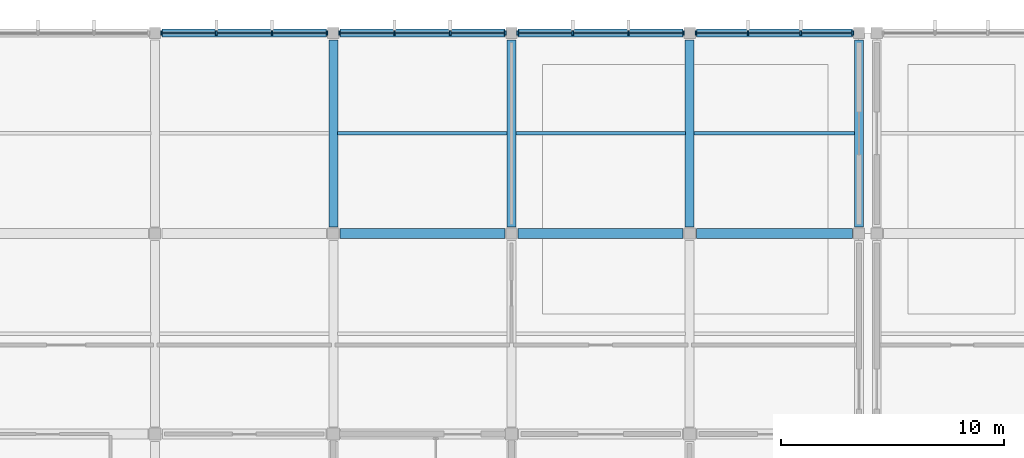
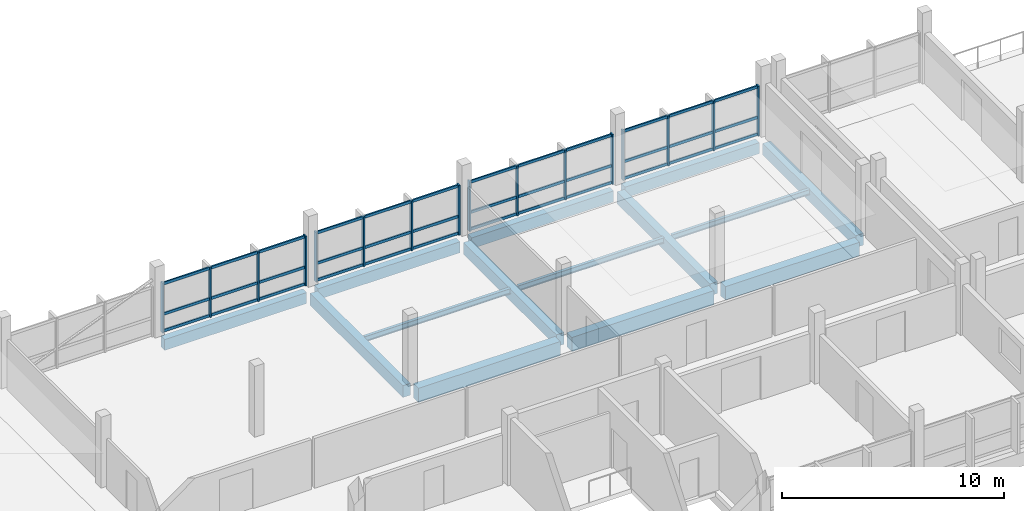
# One storey, part 26 of 57: 52 members, 14 beams, 4 elements without a shape of their own.
"""IFC4 building model written with IfcOpenShell, lengths in metres."""

from ifc_helpers import new_model, si_unit, direction, frame, origin, origin_2d, place, context, subcontext, project, spatial, rectangle, i_section, extrude, material, material_profile, profile_set, type_object, element, aggregate, save


model = new_model("IFC4")

# Units and contexts
model_context = context("Model", 3, precision=1e-05, world=origin(), true_north=direction((0.0, 1.0)))
body_context = subcontext(model_context, "Body", "Model", "MODEL_VIEW")
ifc_project = project(units=[si_unit("LENGTHUNIT", "METRE"), si_unit("AREAUNIT", "SQUARE_METRE"), si_unit("VOLUMEUNIT", "CUBIC_METRE"), si_unit("PLANEANGLEUNIT", "RADIAN"), si_unit("MASSUNIT", "GRAM", prefix="KILO"), si_unit("THERMODYNAMICTEMPERATUREUNIT", "KELVIN"), si_unit("POWERUNIT", "WATT")], contexts=[model_context])

# Site, building, storey
site_placement = place(None, origin())
site = spatial("IfcSite", under=ifc_project, at=site_placement, CompositionType="ELEMENT")
building_placement = place(site_placement, origin())
building = spatial("IfcBuilding", under=site, at=building_placement, Name="Kronsvod Quay Wholesale Market", CompositionType="ELEMENT")
storey_placement = place(building_placement, frame((0.0, 0.0, 13.199951171875)))
storey = spatial("IfcBuildingStorey", under=building, at=storey_placement, Name="L03", CompositionType="ELEMENT", Elevation=13.199951171875)

# Beams
ifc_material_1 = material(Name="Precast concrete C40/50", Category="concrete")
ifc_material_profile_1 = material_profile(ifc_material_1, rectangle(XDim=0.39990234375, YDim=0.64990234375, at=origin_2d()), Name="PCB400x650")
ifc_profile_set_1 = profile_set([ifc_material_profile_1], Name="Precast concrete C40/50")
beam_type_1 = type_object("IfcBeamType", Name="Beam_PCB400x650", PredefinedType="BEAM", material=ifc_profile_set_1)
for number, where, z_axis, x_axis, name in (
    (1, (104.0, 117.300048828125, -0.635009765625), (0.0, 1.0, 0.0), (-1.0, 0.0, 0.0), "BMY-L03-1040-1170"),
    (2, (112.0, 117.300048828125, -0.635009765625), (0.0, 1.0, 0.0), (-1.0, 0.0, 0.0), "BMY-L03-1120-1170"),
    (3, (120.0, 117.300048828125, -0.635009765625), (0.0, 1.0, 0.0), (-1.0, 0.0, 0.0), "BMY-L03-1200-1170"),
    (4, (127.60009765625, 117.300048828125, -0.635009765625), (0.0, 1.0, 0.0), (-1.0, 0.0, 0.0), "BMY-L03-1276-1170"),
):
    element("IfcBeam", number, at=place(storey_placement, frame(where, z_axis=z_axis, x_axis=x_axis)), inside=storey, type_object=beam_type_1, Name=name, PredefinedType="BEAM", context=body_context, shape_type="SweptSolid", body=[
        extrude(rectangle(XDim=0.39990234375, YDim=0.64990234375, at=origin_2d()), origin(), (0.0, 0.0, 1.0), 8.39990234375),
    ])
ifc_material_2 = material(Name="Precast concrete C40/50", Category="concrete")
ifc_material_profile_2 = material_profile(ifc_material_2, rectangle(XDim=0.449951171875, YDim=0.75, at=origin_2d()), Name="PCB450x750")
ifc_profile_set_2 = profile_set([ifc_material_profile_2], Name="Precast concrete C40/50")
beam_type_2 = type_object("IfcBeamType", Name="Beam_PCB450x750", PredefinedType="BEAM", material=ifc_profile_set_2)
beam_1_placement = place(storey_placement, frame((120.300048828125, 117.0, -0.68505859375), z_axis=(1.0, 0.0, 0.0), x_axis=(0.0, 1.0, 0.0)))
element("IfcBeam", 5, at=beam_1_placement, inside=storey, type_object=beam_type_2, Name="BMX-L03-1200-1170", PredefinedType="BEAM", context=body_context, shape_type="SweptSolid", body=[
    extrude(rectangle(XDim=0.449951171875, YDim=0.75, at=origin_2d()), origin(), (0.0, 0.0, 1.0), 7.0),
])
ifc_material_3 = material(Name="Precast concrete C40/50", Category="concrete")
ifc_material_profile_3 = material_profile(ifc_material_3, rectangle(XDim=0.4599609375, YDim=0.780029296875, at=origin_2d()), Name="PB-03")
ifc_profile_set_3 = profile_set([ifc_material_profile_3], Name="Precast concrete C40/50")
beam_type_3 = type_object("IfcBeamType", Name="Beam_PCB460x780", PredefinedType="BEAM", material=ifc_profile_set_3)
for number, where, z_axis, x_axis, name in (
    (6, (104.300048828125, 117.0, -0.699951171875), (1.0, 0.0, 0.0), (0.0, 1.0, 0.0), "BMX-L03-1040-1170"),
    (7, (112.300048828125, 117.0, -0.699951171875), (1.0, 0.0, 0.0), (0.0, 1.0, 0.0), "BMX-L03-1120-1170"),
):
    element("IfcBeam", number, at=place(storey_placement, frame(where, z_axis=z_axis, x_axis=x_axis)), inside=storey, type_object=beam_type_3, Name=name, PredefinedType="BEAM", context=body_context, shape_type="SweptSolid", body=[
        extrude(rectangle(XDim=0.4599609375, YDim=0.780029296875, at=origin_2d()), origin(), (0.0, 0.0, 1.0), 7.39990234375),
    ])
ifc_material_4 = material(Name="Steel S355", Category="steel")
ifc_material_profile_4 = material_profile(ifc_material_4, i_section(OverallWidth=0.14990234375, OverallDepth=0.300048828125, WebThickness=0.006591796875, FlangeThickness=0.009033203125, FilletRadius=0.012939453125, at=origin_2d()), Name="30B2")
ifc_profile_set_4 = profile_set([ifc_material_profile_4], Name="Steel S355")
beam_type_4 = type_object("IfcBeamType", Name="Joist_Steel30B2", PredefinedType="JOIST", material=ifc_profile_set_4)
for number, where, z_axis, x_axis, name in (
    (8, (104.195068359375, 121.5, -0.39990234375), (1.0, 0.0, 0.0), (0.0, 1.0, 0.0), "JSTX-L03-1040-1170"),
    (9, (112.195068359375, 121.5, -0.39990234375), (1.0, 0.0, 0.0), (0.0, 1.0, 0.0), "JSTX-L03-1120-1170"),
):
    element("IfcBeam", number, at=place(storey_placement, frame(where, z_axis=z_axis, x_axis=x_axis)), inside=storey, type_object=beam_type_4, Name=name, PredefinedType="JOIST", context=body_context, shape_type="SweptSolid", body=[
        extrude(i_section(OverallWidth=0.14990234375, OverallDepth=0.300048828125, WebThickness=0.006591796875, FlangeThickness=0.009033203125, FilletRadius=0.012939453125, at=origin_2d()), origin(), (0.0, 0.0, 1.0), 7.60986328125),
    ])
beam_2_placement = place(storey_placement, frame((120.195068359375, 121.5, -0.39990234375), z_axis=(1.0, 0.0, 0.0), x_axis=(0.0, 1.0, 0.0)))
element("IfcBeam", 10, at=beam_2_placement, inside=storey, type_object=beam_type_4, Name="JSTX-L03-1200-1170", PredefinedType="JOIST", context=body_context, shape_type="SweptSolid", body=[
    extrude(i_section(OverallWidth=0.14990234375, OverallDepth=0.300048828125, WebThickness=0.006591796875, FlangeThickness=0.009033203125, FilletRadius=0.012939453125, at=origin_2d()), origin(), (0.0, 0.0, 1.0), 7.2099609375),
])

# Curtain wall, members
ifc_material_5 = material(Name="Thermally broken aluminium and triple low-E glazing", Category="aluminium")
curtain_wall_type_1 = type_object("IfcCurtainWallType", Name="CW_Harbour80x30", PredefinedType="NOTDEFINED", material=ifc_material_5)
curtain_wall_1_placement = place(storey_placement, origin())
curtain_wall_1 = element("IfcCurtainWall", 11, at=curtain_wall_1_placement, inside=storey, type_object=curtain_wall_type_1, Name="CWGX-L03-960-1260", PredefinedType="NOTDEFINED")
ifc_material_6 = material(Name="Anodised aluminium", Category="aluminium")
ifc_material_profile_5 = material_profile(ifc_material_6, rectangle(XDim=0.074951171875, YDim=0.199951171875, at=origin_2d()), Name="ALUM75x200")
ifc_profile_set_5 = profile_set([ifc_material_profile_5], Name="Anodised aluminium")
member_type_1 = type_object("IfcMemberType", Name="Mullion_ALU75x200", PredefinedType="MULLION", material=ifc_profile_set_5)
member_1_placement = place(storey_placement, frame((103.717529296875, 126.0, 0.0), z_axis=(0.0, 0.0, 1.0), x_axis=(1.0, 0.0, 0.0)))
member_1 = element("IfcMember", 12, at=member_1_placement, type_object=member_type_1, Name="CWGX-L03-960-1260-M1", PredefinedType="MULLION", context=body_context, shape_type="SweptSolid", body=[
    extrude(rectangle(XDim=0.074951171875, YDim=0.199951171875, at=origin_2d()), origin(), (0.0, 0.0, 1.0), 2.75),
])
member_2_placement = place(storey_placement, frame((101.251708984375, 126.0, 0.0), z_axis=(0.0, 0.0, 1.0), x_axis=(1.0, 0.0, 0.0)))
member_2 = element("IfcMember", 13, at=member_2_placement, type_object=member_type_1, Name="CWGX-L03-960-1260-M2", PredefinedType="MULLION", context=body_context, shape_type="SweptSolid", body=[
    extrude(rectangle(XDim=0.074951171875, YDim=0.199951171875, at=origin_2d()), origin(), (0.0, 0.0, 1.0), 2.75),
])
member_3_placement = place(storey_placement, frame((98.748291015625, 126.0, 0.0), z_axis=(0.0, 0.0, 1.0), x_axis=(1.0, 0.0, 0.0)))
member_3 = element("IfcMember", 14, at=member_3_placement, type_object=member_type_1, Name="CWGX-L03-960-1260-M3", PredefinedType="MULLION", context=body_context, shape_type="SweptSolid", body=[
    extrude(rectangle(XDim=0.074951171875, YDim=0.199951171875, at=origin_2d()), origin(), (0.0, 0.0, 1.0), 2.75),
])
member_4_placement = place(storey_placement, frame((96.282470703125, 126.0, 0.0), z_axis=(0.0, 0.0, 1.0), x_axis=(1.0, 0.0, 0.0)))
member_4 = element("IfcMember", 15, at=member_4_placement, type_object=member_type_1, Name="CWGX-L03-960-1260-M4", PredefinedType="MULLION", context=body_context, shape_type="SweptSolid", body=[
    extrude(rectangle(XDim=0.074951171875, YDim=0.199951171875, at=origin_2d()), origin(), (0.0, 0.0, 1.0), 2.75),
])

curtain_wall_2_placement = place(storey_placement, origin())
curtain_wall_2 = element("IfcCurtainWall", 16, at=curtain_wall_2_placement, inside=storey, type_object=curtain_wall_type_1, Name="CWGX-L03-1040-1260", PredefinedType="NOTDEFINED")
member_5_placement = place(storey_placement, frame((111.717529296875, 126.0, 0.0), z_axis=(0.0, 0.0, 1.0), x_axis=(1.0, 0.0, 0.0)))
member_5 = element("IfcMember", 17, at=member_5_placement, type_object=member_type_1, Name="CWGX-L03-1040-1260-M1", PredefinedType="MULLION", context=body_context, shape_type="SweptSolid", body=[
    extrude(rectangle(XDim=0.074951171875, YDim=0.199951171875, at=origin_2d()), origin(), (0.0, 0.0, 1.0), 2.75),
])
member_6_placement = place(storey_placement, frame((109.251708984375, 126.0, 0.0), z_axis=(0.0, 0.0, 1.0), x_axis=(1.0, 0.0, 0.0)))
member_6 = element("IfcMember", 18, at=member_6_placement, type_object=member_type_1, Name="CWGX-L03-1040-1260-M2", PredefinedType="MULLION", context=body_context, shape_type="SweptSolid", body=[
    extrude(rectangle(XDim=0.074951171875, YDim=0.199951171875, at=origin_2d()), origin(), (0.0, 0.0, 1.0), 2.75),
])
member_7_placement = place(storey_placement, frame((106.748291015625, 126.0, 0.0), z_axis=(0.0, 0.0, 1.0), x_axis=(1.0, 0.0, 0.0)))
member_7 = element("IfcMember", 19, at=member_7_placement, type_object=member_type_1, Name="CWGX-L03-1040-1260-M3", PredefinedType="MULLION", context=body_context, shape_type="SweptSolid", body=[
    extrude(rectangle(XDim=0.074951171875, YDim=0.199951171875, at=origin_2d()), origin(), (0.0, 0.0, 1.0), 2.75),
])
member_8_placement = place(storey_placement, frame((104.282470703125, 126.0, 0.0), z_axis=(0.0, 0.0, 1.0), x_axis=(1.0, 0.0, 0.0)))
member_8 = element("IfcMember", 20, at=member_8_placement, type_object=member_type_1, Name="CWGX-L03-1040-1260-M4", PredefinedType="MULLION", context=body_context, shape_type="SweptSolid", body=[
    extrude(rectangle(XDim=0.074951171875, YDim=0.199951171875, at=origin_2d()), origin(), (0.0, 0.0, 1.0), 2.75),
])

curtain_wall_3_placement = place(storey_placement, origin())
curtain_wall_3 = element("IfcCurtainWall", 21, at=curtain_wall_3_placement, inside=storey, type_object=curtain_wall_type_1, Name="CWGX-L03-1120-1260", PredefinedType="NOTDEFINED")
member_9_placement = place(storey_placement, frame((119.717529296875, 126.0, 0.0), z_axis=(0.0, 0.0, 1.0), x_axis=(1.0, 0.0, 0.0)))
member_9 = element("IfcMember", 22, at=member_9_placement, type_object=member_type_1, Name="CWGX-L03-1120-1260-M1", PredefinedType="MULLION", context=body_context, shape_type="SweptSolid", body=[
    extrude(rectangle(XDim=0.074951171875, YDim=0.199951171875, at=origin_2d()), origin(), (0.0, 0.0, 1.0), 2.75),
])
member_10_placement = place(storey_placement, frame((117.251708984375, 126.0, 0.0), z_axis=(0.0, 0.0, 1.0), x_axis=(1.0, 0.0, 0.0)))
member_10 = element("IfcMember", 23, at=member_10_placement, type_object=member_type_1, Name="CWGX-L03-1120-1260-M2", PredefinedType="MULLION", context=body_context, shape_type="SweptSolid", body=[
    extrude(rectangle(XDim=0.074951171875, YDim=0.199951171875, at=origin_2d()), origin(), (0.0, 0.0, 1.0), 2.75),
])
member_11_placement = place(storey_placement, frame((114.748291015625, 126.0, 0.0), z_axis=(0.0, 0.0, 1.0), x_axis=(1.0, 0.0, 0.0)))
member_11 = element("IfcMember", 24, at=member_11_placement, type_object=member_type_1, Name="CWGX-L03-1120-1260-M3", PredefinedType="MULLION", context=body_context, shape_type="SweptSolid", body=[
    extrude(rectangle(XDim=0.074951171875, YDim=0.199951171875, at=origin_2d()), origin(), (0.0, 0.0, 1.0), 2.75),
])
member_12_placement = place(storey_placement, frame((112.282470703125, 126.0, 0.0), z_axis=(0.0, 0.0, 1.0), x_axis=(1.0, 0.0, 0.0)))
member_12 = element("IfcMember", 25, at=member_12_placement, type_object=member_type_1, Name="CWGX-L03-1120-1260-M4", PredefinedType="MULLION", context=body_context, shape_type="SweptSolid", body=[
    extrude(rectangle(XDim=0.074951171875, YDim=0.199951171875, at=origin_2d()), origin(), (0.0, 0.0, 1.0), 2.75),
])

ifc_material_7 = material(Name="Thermally broken aluminium and triple low-E glazing", Category="aluminium")
curtain_wall_type_2 = type_object("IfcCurtainWallType", Name="CW_Harbour76x30", PredefinedType="NOTDEFINED", material=ifc_material_7)
curtain_wall_4_placement = place(storey_placement, origin())
curtain_wall_4 = element("IfcCurtainWall", 26, at=curtain_wall_4_placement, inside=storey, type_object=curtain_wall_type_2, Name="CWGX-L03-1200-1260", PredefinedType="NOTDEFINED")
member_13_placement = place(storey_placement, frame((127.3173828125, 126.0, 0.0), z_axis=(0.0, 0.0, 1.0), x_axis=(1.0, 0.0, 0.0)))
member_13 = element("IfcMember", 27, at=member_13_placement, type_object=member_type_1, Name="CWGX-L03-1200-1260-M1", PredefinedType="MULLION", context=body_context, shape_type="SweptSolid", body=[
    extrude(rectangle(XDim=0.074951171875, YDim=0.199951171875, at=origin_2d()), origin(), (0.0, 0.0, 1.0), 2.75),
])
member_14_placement = place(storey_placement, frame((124.985107421875, 126.0, 0.0), z_axis=(0.0, 0.0, 1.0), x_axis=(1.0, 0.0, 0.0)))
member_14 = element("IfcMember", 28, at=member_14_placement, type_object=member_type_1, Name="CWGX-L03-1200-1260-M2", PredefinedType="MULLION", context=body_context, shape_type="SweptSolid", body=[
    extrude(rectangle(XDim=0.074951171875, YDim=0.199951171875, at=origin_2d()), origin(), (0.0, 0.0, 1.0), 2.75),
])
member_15_placement = place(storey_placement, frame((122.614990234375, 126.0, 0.0), z_axis=(0.0, 0.0, 1.0), x_axis=(1.0, 0.0, 0.0)))
member_15 = element("IfcMember", 29, at=member_15_placement, type_object=member_type_1, Name="CWGX-L03-1200-1260-M3", PredefinedType="MULLION", context=body_context, shape_type="SweptSolid", body=[
    extrude(rectangle(XDim=0.074951171875, YDim=0.199951171875, at=origin_2d()), origin(), (0.0, 0.0, 1.0), 2.75),
])
member_16_placement = place(storey_placement, frame((120.282470703125, 126.0, 0.0), z_axis=(0.0, 0.0, 1.0), x_axis=(1.0, 0.0, 0.0)))
member_16 = element("IfcMember", 30, at=member_16_placement, type_object=member_type_1, Name="CWGX-L03-1200-1260-M4", PredefinedType="MULLION", context=body_context, shape_type="SweptSolid", body=[
    extrude(rectangle(XDim=0.074951171875, YDim=0.199951171875, at=origin_2d()), origin(), (0.0, 0.0, 1.0), 2.75),
])

# Beams
ifc_material_8 = material(Name="Precast concrete C40/50", Category="concrete")
ifc_material_profile_6 = material_profile(ifc_material_8, rectangle(XDim=0.35009765625, YDim=0.60009765625, at=origin_2d()), Name="PCSP350x600")
ifc_profile_set_6 = profile_set([ifc_material_profile_6], Name="Precast concrete C40/50")
beam_type_5 = type_object("IfcBeamType", Name="Spandrel_PCSP350x600", PredefinedType="SPANDREL", material=ifc_profile_set_6)
for number, where, z_axis, x_axis, name in (
    (31, (96.300048828125, 126.0, -0.60986328125), (1.0, 0.0, 0.0), (0.0, 1.0, 0.0), "BMX-L03-960-1260"),
    (32, (104.300048828125, 126.0, -0.60986328125), (1.0, 0.0, 0.0), (0.0, 1.0, 0.0), "BMX-L03-1040-1260"),
    (33, (112.300048828125, 126.0, -0.60986328125), (1.0, 0.0, 0.0), (0.0, 1.0, 0.0), "BMX-L03-1120-1260"),
):
    element("IfcBeam", number, at=place(storey_placement, frame(where, z_axis=z_axis, x_axis=x_axis)), inside=storey, type_object=beam_type_5, Name=name, PredefinedType="SPANDREL", context=body_context, shape_type="SweptSolid", body=[
        extrude(rectangle(XDim=0.35009765625, YDim=0.60009765625, at=origin_2d()), origin(), (0.0, 0.0, 1.0), 7.39990234375),
    ])
beam_3_placement = place(storey_placement, frame((120.300048828125, 126.0, -0.60986328125), z_axis=(1.0, 0.0, 0.0), x_axis=(0.0, 1.0, 0.0)))
element("IfcBeam", 34, at=beam_3_placement, inside=storey, type_object=beam_type_5, Name="BMX-L03-1200-1260", PredefinedType="SPANDREL", context=body_context, shape_type="SweptSolid", body=[
    extrude(rectangle(XDim=0.35009765625, YDim=0.60009765625, at=origin_2d()), origin(), (0.0, 0.0, 1.0), 7.0),
])

# Member
ifc_material_9 = material(Name="Anodised aluminium", Category="aluminium")
ifc_material_profile_7 = material_profile(ifc_material_9, rectangle(XDim=0.074951171875, YDim=0.14990234375, at=origin_2d()), Name="ALUT75x150")
ifc_profile_set_7 = profile_set([ifc_material_profile_7], Name="Anodised aluminium")
member_type_2 = type_object("IfcMemberType", Name="Transom_ALU75x150", PredefinedType="USERDEFINED", material=ifc_profile_set_7)
member_17_placement = place(storey_placement, frame((103.679931640625, 126.0, 0.074951171875), z_axis=(-1.0, 0.0, 0.0), x_axis=(0.0, -1.0, 0.0)))
member_17 = element("IfcMember", 35, at=member_17_placement, type_object=member_type_2, Name="CWGX-L03-960-1260-T1B1", ObjectType="TRANSOM", PredefinedType="USERDEFINED", context=body_context, shape_type="SweptSolid", body=[
    extrude(rectangle(XDim=0.074951171875, YDim=0.14990234375, at=origin_2d()), origin(), (0.0, 0.0, 1.0), 2.390869140625),
])

member_18_placement = place(storey_placement, frame((101.214111328125, 126.0, 0.074951171875), z_axis=(-1.0, 0.0, 0.0), x_axis=(0.0, -1.0, 0.0)))
member_18 = element("IfcMember", 36, at=member_18_placement, type_object=member_type_2, Name="CWGX-L03-960-1260-T1B2", ObjectType="TRANSOM", PredefinedType="USERDEFINED", context=body_context, shape_type="SweptSolid", body=[
    extrude(rectangle(XDim=0.074951171875, YDim=0.14990234375, at=origin_2d()), origin(), (0.0, 0.0, 1.0), 2.42822265625),
])

member_19_placement = place(storey_placement, frame((98.7109375, 126.0, 0.074951171875), z_axis=(-1.0, 0.0, 0.0), x_axis=(0.0, -1.0, 0.0)))
member_19 = element("IfcMember", 37, at=member_19_placement, type_object=member_type_2, Name="CWGX-L03-960-1260-T1B3", ObjectType="TRANSOM", PredefinedType="USERDEFINED", context=body_context, shape_type="SweptSolid", body=[
    extrude(rectangle(XDim=0.074951171875, YDim=0.14990234375, at=origin_2d()), origin(), (0.0, 0.0, 1.0), 2.390869140625),
])

member_20_placement = place(storey_placement, frame((103.679931640625, 126.0, 1.0), z_axis=(-1.0, 0.0, 0.0), x_axis=(0.0, -1.0, 0.0)))
member_20 = element("IfcMember", 38, at=member_20_placement, type_object=member_type_2, Name="CWGX-L03-960-1260-T2B1", ObjectType="TRANSOM", PredefinedType="USERDEFINED", context=body_context, shape_type="SweptSolid", body=[
    extrude(rectangle(XDim=0.074951171875, YDim=0.14990234375, at=origin_2d()), origin(), (0.0, 0.0, 1.0), 2.390869140625),
])

member_21_placement = place(storey_placement, frame((101.214111328125, 126.0, 1.0), z_axis=(-1.0, 0.0, 0.0), x_axis=(0.0, -1.0, 0.0)))
member_21 = element("IfcMember", 39, at=member_21_placement, type_object=member_type_2, Name="CWGX-L03-960-1260-T2B2", ObjectType="TRANSOM", PredefinedType="USERDEFINED", context=body_context, shape_type="SweptSolid", body=[
    extrude(rectangle(XDim=0.074951171875, YDim=0.14990234375, at=origin_2d()), origin(), (0.0, 0.0, 1.0), 2.42822265625),
])

member_22_placement = place(storey_placement, frame((98.7109375, 126.0, 1.0), z_axis=(-1.0, 0.0, 0.0), x_axis=(0.0, -1.0, 0.0)))
member_22 = element("IfcMember", 40, at=member_22_placement, type_object=member_type_2, Name="CWGX-L03-960-1260-T2B3", ObjectType="TRANSOM", PredefinedType="USERDEFINED", context=body_context, shape_type="SweptSolid", body=[
    extrude(rectangle(XDim=0.074951171875, YDim=0.14990234375, at=origin_2d()), origin(), (0.0, 0.0, 1.0), 2.390869140625),
])

member_23_placement = place(storey_placement, frame((103.679931640625, 126.0, 2.675048828125), z_axis=(-1.0, 0.0, 0.0), x_axis=(0.0, -1.0, 0.0)))
member_23 = element("IfcMember", 41, at=member_23_placement, type_object=member_type_2, Name="CWGX-L03-960-1260-T3B1", ObjectType="TRANSOM", PredefinedType="USERDEFINED", context=body_context, shape_type="SweptSolid", body=[
    extrude(rectangle(XDim=0.074951171875, YDim=0.14990234375, at=origin_2d()), origin(), (0.0, 0.0, 1.0), 2.390869140625),
])

member_24_placement = place(storey_placement, frame((101.214111328125, 126.0, 2.675048828125), z_axis=(-1.0, 0.0, 0.0), x_axis=(0.0, -1.0, 0.0)))
member_24 = element("IfcMember", 42, at=member_24_placement, type_object=member_type_2, Name="CWGX-L03-960-1260-T3B2", ObjectType="TRANSOM", PredefinedType="USERDEFINED", context=body_context, shape_type="SweptSolid", body=[
    extrude(rectangle(XDim=0.074951171875, YDim=0.14990234375, at=origin_2d()), origin(), (0.0, 0.0, 1.0), 2.42822265625),
])

member_25_placement = place(storey_placement, frame((98.7109375, 126.0, 2.675048828125), z_axis=(-1.0, 0.0, 0.0), x_axis=(0.0, -1.0, 0.0)))
member_25 = element("IfcMember", 43, at=member_25_placement, type_object=member_type_2, Name="CWGX-L03-960-1260-T3B3", ObjectType="TRANSOM", PredefinedType="USERDEFINED", context=body_context, shape_type="SweptSolid", body=[
    extrude(rectangle(XDim=0.074951171875, YDim=0.14990234375, at=origin_2d()), origin(), (0.0, 0.0, 1.0), 2.390869140625),
])

aggregate(curtain_wall_1, [member_1, member_2, member_3, member_4, member_17, member_18, member_19, member_20, member_21, member_22, member_23, member_24, member_25])

member_26_placement = place(storey_placement, frame((111.679931640625, 126.0, 0.074951171875), z_axis=(-1.0, 0.0, 0.0), x_axis=(0.0, -1.0, 0.0)))
member_26 = element("IfcMember", 44, at=member_26_placement, type_object=member_type_2, Name="CWGX-L03-1040-1260-T1B1", ObjectType="TRANSOM", PredefinedType="USERDEFINED", context=body_context, shape_type="SweptSolid", body=[
    extrude(rectangle(XDim=0.074951171875, YDim=0.14990234375, at=origin_2d()), origin(), (0.0, 0.0, 1.0), 2.390869140625),
])

member_27_placement = place(storey_placement, frame((109.214111328125, 126.0, 0.074951171875), z_axis=(-1.0, 0.0, 0.0), x_axis=(0.0, -1.0, 0.0)))
member_27 = element("IfcMember", 45, at=member_27_placement, type_object=member_type_2, Name="CWGX-L03-1040-1260-T1B2", ObjectType="TRANSOM", PredefinedType="USERDEFINED", context=body_context, shape_type="SweptSolid", body=[
    extrude(rectangle(XDim=0.074951171875, YDim=0.14990234375, at=origin_2d()), origin(), (0.0, 0.0, 1.0), 2.42822265625),
])

member_28_placement = place(storey_placement, frame((106.7109375, 126.0, 0.074951171875), z_axis=(-1.0, 0.0, 0.0), x_axis=(0.0, -1.0, 0.0)))
member_28 = element("IfcMember", 46, at=member_28_placement, type_object=member_type_2, Name="CWGX-L03-1040-1260-T1B3", ObjectType="TRANSOM", PredefinedType="USERDEFINED", context=body_context, shape_type="SweptSolid", body=[
    extrude(rectangle(XDim=0.074951171875, YDim=0.14990234375, at=origin_2d()), origin(), (0.0, 0.0, 1.0), 2.390869140625),
])

member_29_placement = place(storey_placement, frame((111.679931640625, 126.0, 1.0), z_axis=(-1.0, 0.0, 0.0), x_axis=(0.0, -1.0, 0.0)))
member_29 = element("IfcMember", 47, at=member_29_placement, type_object=member_type_2, Name="CWGX-L03-1040-1260-T2B1", ObjectType="TRANSOM", PredefinedType="USERDEFINED", context=body_context, shape_type="SweptSolid", body=[
    extrude(rectangle(XDim=0.074951171875, YDim=0.14990234375, at=origin_2d()), origin(), (0.0, 0.0, 1.0), 2.390869140625),
])

member_30_placement = place(storey_placement, frame((109.214111328125, 126.0, 1.0), z_axis=(-1.0, 0.0, 0.0), x_axis=(0.0, -1.0, 0.0)))
member_30 = element("IfcMember", 48, at=member_30_placement, type_object=member_type_2, Name="CWGX-L03-1040-1260-T2B2", ObjectType="TRANSOM", PredefinedType="USERDEFINED", context=body_context, shape_type="SweptSolid", body=[
    extrude(rectangle(XDim=0.074951171875, YDim=0.14990234375, at=origin_2d()), origin(), (0.0, 0.0, 1.0), 2.42822265625),
])

member_31_placement = place(storey_placement, frame((106.7109375, 126.0, 1.0), z_axis=(-1.0, 0.0, 0.0), x_axis=(0.0, -1.0, 0.0)))
member_31 = element("IfcMember", 49, at=member_31_placement, type_object=member_type_2, Name="CWGX-L03-1040-1260-T2B3", ObjectType="TRANSOM", PredefinedType="USERDEFINED", context=body_context, shape_type="SweptSolid", body=[
    extrude(rectangle(XDim=0.074951171875, YDim=0.14990234375, at=origin_2d()), origin(), (0.0, 0.0, 1.0), 2.390869140625),
])

member_32_placement = place(storey_placement, frame((111.679931640625, 126.0, 2.675048828125), z_axis=(-1.0, 0.0, 0.0), x_axis=(0.0, -1.0, 0.0)))
member_32 = element("IfcMember", 50, at=member_32_placement, type_object=member_type_2, Name="CWGX-L03-1040-1260-T3B1", ObjectType="TRANSOM", PredefinedType="USERDEFINED", context=body_context, shape_type="SweptSolid", body=[
    extrude(rectangle(XDim=0.074951171875, YDim=0.14990234375, at=origin_2d()), origin(), (0.0, 0.0, 1.0), 2.390869140625),
])

member_33_placement = place(storey_placement, frame((109.214111328125, 126.0, 2.675048828125), z_axis=(-1.0, 0.0, 0.0), x_axis=(0.0, -1.0, 0.0)))
member_33 = element("IfcMember", 51, at=member_33_placement, type_object=member_type_2, Name="CWGX-L03-1040-1260-T3B2", ObjectType="TRANSOM", PredefinedType="USERDEFINED", context=body_context, shape_type="SweptSolid", body=[
    extrude(rectangle(XDim=0.074951171875, YDim=0.14990234375, at=origin_2d()), origin(), (0.0, 0.0, 1.0), 2.42822265625),
])

member_34_placement = place(storey_placement, frame((106.7109375, 126.0, 2.675048828125), z_axis=(-1.0, 0.0, 0.0), x_axis=(0.0, -1.0, 0.0)))
member_34 = element("IfcMember", 52, at=member_34_placement, type_object=member_type_2, Name="CWGX-L03-1040-1260-T3B3", ObjectType="TRANSOM", PredefinedType="USERDEFINED", context=body_context, shape_type="SweptSolid", body=[
    extrude(rectangle(XDim=0.074951171875, YDim=0.14990234375, at=origin_2d()), origin(), (0.0, 0.0, 1.0), 2.390869140625),
])

aggregate(curtain_wall_2, [member_5, member_6, member_7, member_8, member_26, member_27, member_28, member_29, member_30, member_31, member_32, member_33, member_34])

member_35_placement = place(storey_placement, frame((119.679931640625, 126.0, 0.074951171875), z_axis=(-1.0, 0.0, 0.0), x_axis=(0.0, -1.0, 0.0)))
member_35 = element("IfcMember", 53, at=member_35_placement, type_object=member_type_2, Name="CWGX-L03-1120-1260-T1B1", ObjectType="TRANSOM", PredefinedType="USERDEFINED", context=body_context, shape_type="SweptSolid", body=[
    extrude(rectangle(XDim=0.074951171875, YDim=0.14990234375, at=origin_2d()), origin(), (0.0, 0.0, 1.0), 2.390869140625),
])

member_36_placement = place(storey_placement, frame((117.214111328125, 126.0, 0.074951171875), z_axis=(-1.0, 0.0, 0.0), x_axis=(0.0, -1.0, 0.0)))
member_36 = element("IfcMember", 54, at=member_36_placement, type_object=member_type_2, Name="CWGX-L03-1120-1260-T1B2", ObjectType="TRANSOM", PredefinedType="USERDEFINED", context=body_context, shape_type="SweptSolid", body=[
    extrude(rectangle(XDim=0.074951171875, YDim=0.14990234375, at=origin_2d()), origin(), (0.0, 0.0, 1.0), 2.42822265625),
])

member_37_placement = place(storey_placement, frame((114.7109375, 126.0, 0.074951171875), z_axis=(-1.0, 0.0, 0.0), x_axis=(0.0, -1.0, 0.0)))
member_37 = element("IfcMember", 55, at=member_37_placement, type_object=member_type_2, Name="CWGX-L03-1120-1260-T1B3", ObjectType="TRANSOM", PredefinedType="USERDEFINED", context=body_context, shape_type="SweptSolid", body=[
    extrude(rectangle(XDim=0.074951171875, YDim=0.14990234375, at=origin_2d()), origin(), (0.0, 0.0, 1.0), 2.390869140625),
])

member_38_placement = place(storey_placement, frame((119.679931640625, 126.0, 1.0), z_axis=(-1.0, 0.0, 0.0), x_axis=(0.0, -1.0, 0.0)))
member_38 = element("IfcMember", 56, at=member_38_placement, type_object=member_type_2, Name="CWGX-L03-1120-1260-T2B1", ObjectType="TRANSOM", PredefinedType="USERDEFINED", context=body_context, shape_type="SweptSolid", body=[
    extrude(rectangle(XDim=0.074951171875, YDim=0.14990234375, at=origin_2d()), origin(), (0.0, 0.0, 1.0), 2.390869140625),
])

member_39_placement = place(storey_placement, frame((117.214111328125, 126.0, 1.0), z_axis=(-1.0, 0.0, 0.0), x_axis=(0.0, -1.0, 0.0)))
member_39 = element("IfcMember", 57, at=member_39_placement, type_object=member_type_2, Name="CWGX-L03-1120-1260-T2B2", ObjectType="TRANSOM", PredefinedType="USERDEFINED", context=body_context, shape_type="SweptSolid", body=[
    extrude(rectangle(XDim=0.074951171875, YDim=0.14990234375, at=origin_2d()), origin(), (0.0, 0.0, 1.0), 2.42822265625),
])

member_40_placement = place(storey_placement, frame((114.7109375, 126.0, 1.0), z_axis=(-1.0, 0.0, 0.0), x_axis=(0.0, -1.0, 0.0)))
member_40 = element("IfcMember", 58, at=member_40_placement, type_object=member_type_2, Name="CWGX-L03-1120-1260-T2B3", ObjectType="TRANSOM", PredefinedType="USERDEFINED", context=body_context, shape_type="SweptSolid", body=[
    extrude(rectangle(XDim=0.074951171875, YDim=0.14990234375, at=origin_2d()), origin(), (0.0, 0.0, 1.0), 2.390869140625),
])

member_41_placement = place(storey_placement, frame((119.679931640625, 126.0, 2.675048828125), z_axis=(-1.0, 0.0, 0.0), x_axis=(0.0, -1.0, 0.0)))
member_41 = element("IfcMember", 59, at=member_41_placement, type_object=member_type_2, Name="CWGX-L03-1120-1260-T3B1", ObjectType="TRANSOM", PredefinedType="USERDEFINED", context=body_context, shape_type="SweptSolid", body=[
    extrude(rectangle(XDim=0.074951171875, YDim=0.14990234375, at=origin_2d()), origin(), (0.0, 0.0, 1.0), 2.390869140625),
])

member_42_placement = place(storey_placement, frame((117.214111328125, 126.0, 2.675048828125), z_axis=(-1.0, 0.0, 0.0), x_axis=(0.0, -1.0, 0.0)))
member_42 = element("IfcMember", 60, at=member_42_placement, type_object=member_type_2, Name="CWGX-L03-1120-1260-T3B2", ObjectType="TRANSOM", PredefinedType="USERDEFINED", context=body_context, shape_type="SweptSolid", body=[
    extrude(rectangle(XDim=0.074951171875, YDim=0.14990234375, at=origin_2d()), origin(), (0.0, 0.0, 1.0), 2.42822265625),
])

member_43_placement = place(storey_placement, frame((114.7109375, 126.0, 2.675048828125), z_axis=(-1.0, 0.0, 0.0), x_axis=(0.0, -1.0, 0.0)))
member_43 = element("IfcMember", 61, at=member_43_placement, type_object=member_type_2, Name="CWGX-L03-1120-1260-T3B3", ObjectType="TRANSOM", PredefinedType="USERDEFINED", context=body_context, shape_type="SweptSolid", body=[
    extrude(rectangle(XDim=0.074951171875, YDim=0.14990234375, at=origin_2d()), origin(), (0.0, 0.0, 1.0), 2.390869140625),
])

aggregate(curtain_wall_3, [member_9, member_10, member_11, member_12, member_35, member_36, member_37, member_38, member_39, member_40, member_41, member_42, member_43])

member_44_placement = place(storey_placement, frame((127.280029296875, 126.0, 0.074951171875), z_axis=(-1.0, 0.0, 0.0), x_axis=(0.0, -1.0, 0.0)))
member_44 = element("IfcMember", 62, at=member_44_placement, type_object=member_type_2, Name="CWGX-L03-1200-1260-T1B1", ObjectType="TRANSOM", PredefinedType="USERDEFINED", context=body_context, shape_type="SweptSolid", body=[
    extrude(rectangle(XDim=0.074951171875, YDim=0.14990234375, at=origin_2d()), origin(), (0.0, 0.0, 1.0), 2.257568359375),
])

member_45_placement = place(storey_placement, frame((124.947509765625, 126.0, 0.074951171875), z_axis=(-1.0, 0.0, 0.0), x_axis=(0.0, -1.0, 0.0)))
member_45 = element("IfcMember", 63, at=member_45_placement, type_object=member_type_2, Name="CWGX-L03-1200-1260-T1B2", ObjectType="TRANSOM", PredefinedType="USERDEFINED", context=body_context, shape_type="SweptSolid", body=[
    extrude(rectangle(XDim=0.074951171875, YDim=0.14990234375, at=origin_2d()), origin(), (0.0, 0.0, 1.0), 2.294921875),
])

member_46_placement = place(storey_placement, frame((122.577392578125, 126.0, 0.074951171875), z_axis=(-1.0, 0.0, 0.0), x_axis=(0.0, -1.0, 0.0)))
member_46 = element("IfcMember", 64, at=member_46_placement, type_object=member_type_2, Name="CWGX-L03-1200-1260-T1B3", ObjectType="TRANSOM", PredefinedType="USERDEFINED", context=body_context, shape_type="SweptSolid", body=[
    extrude(rectangle(XDim=0.074951171875, YDim=0.14990234375, at=origin_2d()), origin(), (0.0, 0.0, 1.0), 2.25732421875),
])

member_47_placement = place(storey_placement, frame((127.280029296875, 126.0, 1.0), z_axis=(-1.0, 0.0, 0.0), x_axis=(0.0, -1.0, 0.0)))
member_47 = element("IfcMember", 65, at=member_47_placement, type_object=member_type_2, Name="CWGX-L03-1200-1260-T2B1", ObjectType="TRANSOM", PredefinedType="USERDEFINED", context=body_context, shape_type="SweptSolid", body=[
    extrude(rectangle(XDim=0.074951171875, YDim=0.14990234375, at=origin_2d()), origin(), (0.0, 0.0, 1.0), 2.257568359375),
])

member_48_placement = place(storey_placement, frame((124.947509765625, 126.0, 1.0), z_axis=(-1.0, 0.0, 0.0), x_axis=(0.0, -1.0, 0.0)))
member_48 = element("IfcMember", 66, at=member_48_placement, type_object=member_type_2, Name="CWGX-L03-1200-1260-T2B2", ObjectType="TRANSOM", PredefinedType="USERDEFINED", context=body_context, shape_type="SweptSolid", body=[
    extrude(rectangle(XDim=0.074951171875, YDim=0.14990234375, at=origin_2d()), origin(), (0.0, 0.0, 1.0), 2.294921875),
])

member_49_placement = place(storey_placement, frame((122.577392578125, 126.0, 1.0), z_axis=(-1.0, 0.0, 0.0), x_axis=(0.0, -1.0, 0.0)))
member_49 = element("IfcMember", 67, at=member_49_placement, type_object=member_type_2, Name="CWGX-L03-1200-1260-T2B3", ObjectType="TRANSOM", PredefinedType="USERDEFINED", context=body_context, shape_type="SweptSolid", body=[
    extrude(rectangle(XDim=0.074951171875, YDim=0.14990234375, at=origin_2d()), origin(), (0.0, 0.0, 1.0), 2.25732421875),
])

member_50_placement = place(storey_placement, frame((127.280029296875, 126.0, 2.675048828125), z_axis=(-1.0, 0.0, 0.0), x_axis=(0.0, -1.0, 0.0)))
member_50 = element("IfcMember", 68, at=member_50_placement, type_object=member_type_2, Name="CWGX-L03-1200-1260-T3B1", ObjectType="TRANSOM", PredefinedType="USERDEFINED", context=body_context, shape_type="SweptSolid", body=[
    extrude(rectangle(XDim=0.074951171875, YDim=0.14990234375, at=origin_2d()), origin(), (0.0, 0.0, 1.0), 2.257568359375),
])

member_51_placement = place(storey_placement, frame((124.947509765625, 126.0, 2.675048828125), z_axis=(-1.0, 0.0, 0.0), x_axis=(0.0, -1.0, 0.0)))
member_51 = element("IfcMember", 69, at=member_51_placement, type_object=member_type_2, Name="CWGX-L03-1200-1260-T3B2", ObjectType="TRANSOM", PredefinedType="USERDEFINED", context=body_context, shape_type="SweptSolid", body=[
    extrude(rectangle(XDim=0.074951171875, YDim=0.14990234375, at=origin_2d()), origin(), (0.0, 0.0, 1.0), 2.294921875),
])

member_52_placement = place(storey_placement, frame((122.577392578125, 126.0, 2.675048828125), z_axis=(-1.0, 0.0, 0.0), x_axis=(0.0, -1.0, 0.0)))
member_52 = element("IfcMember", 70, at=member_52_placement, type_object=member_type_2, Name="CWGX-L03-1200-1260-T3B3", ObjectType="TRANSOM", PredefinedType="USERDEFINED", context=body_context, shape_type="SweptSolid", body=[
    extrude(rectangle(XDim=0.074951171875, YDim=0.14990234375, at=origin_2d()), origin(), (0.0, 0.0, 1.0), 2.25732421875),
])

aggregate(curtain_wall_4, [member_13, member_14, member_15, member_16, member_44, member_45, member_46, member_47, member_48, member_49, member_50, member_51, member_52])

save(model, "model.ifc")
